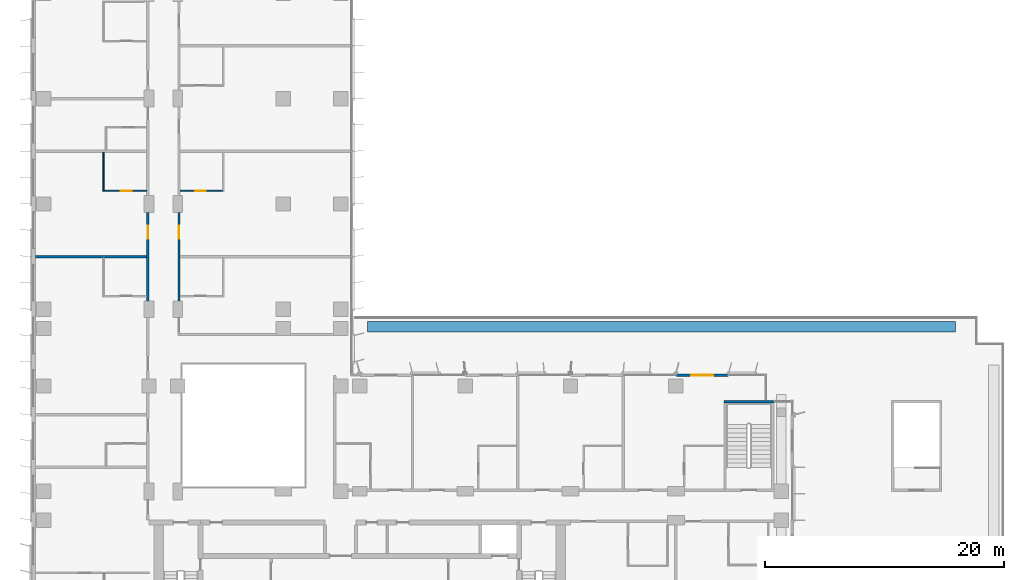
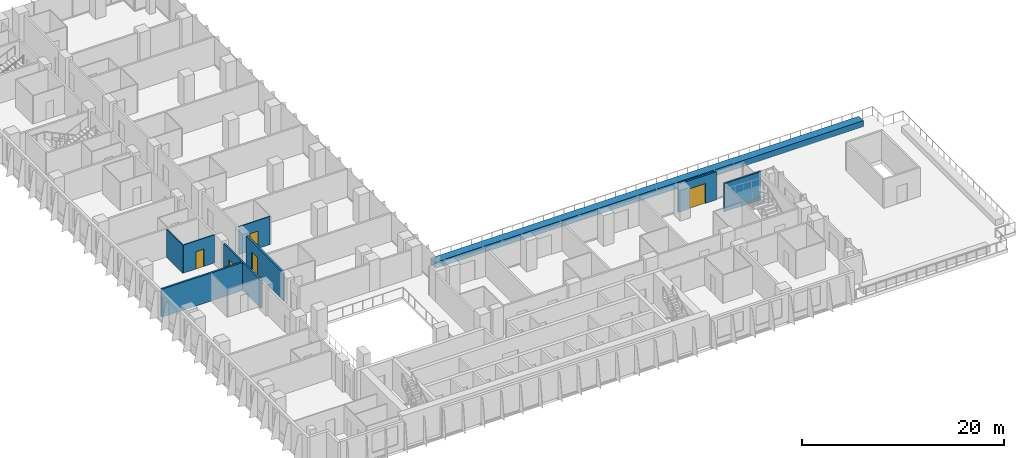
# One storey, part 17 of 27: 9 walls, 5 doors, 5 openings.
"""IFC4 building model written with IfcOpenShell, lengths in metres."""

from ifc_helpers import new_model, si_unit, direction, frame, frame_2d, origin, place, context, subcontext, project, spatial, rectangle, extrude, material, layer, layer_set, type_object, element, fill, save


model = new_model("IFC4")

# Units and contexts
model_context = context("Model", 3, precision=1e-05, world=origin(), true_north=direction((0.0, 1.0)))
body_context = subcontext(model_context, "Body", "Model", "MODEL_VIEW")
ifc_project = project(units=[si_unit("LENGTHUNIT", "METRE"), si_unit("AREAUNIT", "SQUARE_METRE"), si_unit("VOLUMEUNIT", "CUBIC_METRE"), si_unit("PLANEANGLEUNIT", "RADIAN"), si_unit("MASSUNIT", "GRAM", prefix="KILO")], contexts=[model_context])

# Site, building, storey
site_placement = place(None, origin())
site = spatial("IfcSite", under=ifc_project, at=site_placement, CompositionType="ELEMENT")
building_placement = place(site_placement, origin())
building = spatial("IfcBuilding", under=site, at=building_placement, Name="Kemantara Hotel Tower", CompositionType="ELEMENT")
storey_placement = place(building_placement, frame((0.0, 0.0, 83.39990234375)))
storey = spatial("IfcBuildingStorey", under=building, at=storey_placement, Name="L19", CompositionType="ELEMENT", Elevation=83.39990234375)

# Wall, opening, door
ifc_material_1 = material(Name="Gypsum board partition, steel studs and mineral wool, 200 mm", Category="steel")
ifc_layer_1 = layer(ifc_material_1, 0.199951171875)
ifc_layer_set_1 = layer_set([ifc_layer_1], Name="Gypsum board partition, steel studs and mineral wool, 200 mm")
wall_type_1 = type_object("IfcWallType", Name="CORRIDOR WALL 200", PredefinedType="PARTITIONING", material=ifc_layer_set_1)
wall_1_placement = place(storey_placement, frame((9.699951171875, 28.10009765625, 0.0), z_axis=(0.0, 0.0, 1.0), x_axis=(0.0, 1.0, 0.0)))
wall_1 = element("IfcWall", 1, at=wall_1_placement, inside=storey, type_object=wall_type_1, Name="CORRIDOR WALL 200 017", PredefinedType="PARTITIONING", context=body_context, shape_type="SweptSolid", body=[
    extrude(rectangle(XDim=7.39990234375, YDim=0.199951171875, at=frame_2d((3.699951171875, 0.0))), origin(), (0.0, 0.0, 1.0), 3.400146484375),
])
opening_1_placement = place(wall_1_placement, frame((5.199951171875, 0.0, 0.0)))
opening_1 = element("IfcOpeningElement", 2, at=opening_1_placement, cuts=wall_1, Name="Opening F07-021", PredefinedType="OPENING", context=body_context, shape_type="SweptSolid", body=[
    extrude(rectangle(XDim=1.10009765625, YDim=2.10009765625, at=frame_2d((0.550048828125, 1.050048828125))), frame((0.0, 0.10986328125, 0.0), z_axis=(0.0, -1.0, 0.0), x_axis=(1.0, 0.0, 0.0)), (0.0, 0.0, 1.0), 0.219970703125),
])
ifc_material_2 = material(Name="Hardwood veneer door leaf with steel frame", Category="steel")
door_type_1 = type_object("IfcDoorType", Name="SUITE ENTRANCE DOOR 1100 X 2100 FD30S", OperationType="NOTDEFINED", PredefinedType="DOOR", material=ifc_material_2)
door_1_placement = place(opening_1_placement, origin())
door_1 = element("IfcDoor", 3, at=door_1_placement, inside=storey, type_object=door_type_1, Name="SUITE ENTRANCE DOOR F07-021", OperationType="SINGLE_SWING_LEFT", OverallHeight=2.10009765625, OverallWidth=1.10009765625, PredefinedType="DOOR", context=body_context, shape_type="SweptSolid", body=[
    extrude(rectangle(XDim=1.10009765625, YDim=2.10009765625, at=frame_2d((0.550048828125, 1.050048828125))), frame((0.0, 0.02490234375, 0.0), z_axis=(0.0, -1.0, 0.0), x_axis=(1.0, 0.0, 0.0)), (0.0, 0.0, 1.0), 0.050048828125),
])
fill(opening_1, door_1)

wall_2_placement = place(storey_placement, frame((12.300048828125, 35.5, 0.0), z_axis=(0.0, 0.0, 1.0), x_axis=(0.0, -1.0, 0.0)))
wall_2 = element("IfcWall", 4, at=wall_2_placement, inside=storey, type_object=wall_type_1, Name="CORRIDOR WALL 200 032", PredefinedType="PARTITIONING", context=body_context, shape_type="SweptSolid", body=[
    extrude(rectangle(XDim=7.39990234375, YDim=0.199951171875, at=frame_2d((3.699951171875, 0.0))), origin(), (0.0, 0.0, 1.0), 3.400146484375),
])
opening_2_placement = place(wall_2_placement, frame((1.099853515625, 0.0, 0.0)))
opening_2 = element("IfcOpeningElement", 5, at=opening_2_placement, cuts=wall_2, Name="Opening F07-035", PredefinedType="OPENING", context=body_context, shape_type="SweptSolid", body=[
    extrude(rectangle(XDim=1.10009765625, YDim=2.10009765625, at=frame_2d((0.550048828125, 1.050048828125))), frame((0.0, 0.10986328125, 0.0), z_axis=(0.0, -1.0, 0.0), x_axis=(1.0, 0.0, 0.0)), (0.0, 0.0, 1.0), 0.219970703125),
])
door_2_placement = place(opening_2_placement, origin())
door_2 = element("IfcDoor", 6, at=door_2_placement, inside=storey, type_object=door_type_1, Name="SUITE ENTRANCE DOOR F07-035", OperationType="SINGLE_SWING_RIGHT", OverallHeight=2.10009765625, OverallWidth=1.10009765625, PredefinedType="DOOR", context=body_context, shape_type="SweptSolid", body=[
    extrude(rectangle(XDim=1.10009765625, YDim=2.10009765625, at=frame_2d((0.550048828125, 1.050048828125))), frame((0.0, 0.02490234375, 0.0), z_axis=(0.0, -1.0, 0.0), x_axis=(1.0, 0.0, 0.0)), (0.0, 0.0, 1.0), 0.050048828125),
])
fill(opening_2, door_2)

# Walls
ifc_material_3 = material(Name="Concrete fc 40 MPa", Category="concrete")
ifc_layer_2 = layer(ifc_material_3, 0.199951171875)
ifc_layer_set_2 = layer_set([ifc_layer_2], Name="Concrete fc 40 MPa")
wall_type_2 = type_object("IfcWallType", Name="Concrete stair wall 200 mm", PredefinedType="SHEAR", material=ifc_layer_set_2)
wall_3_placement = place(storey_placement, frame((57.800048828125, 19.699951171875, 0.0), z_axis=(0.0, 0.0, 1.0), x_axis=(1.0, 0.0, 0.0)))
element("IfcWall", 7, at=wall_3_placement, inside=storey, type_object=wall_type_2, Name="Stair ST3 enclosure wall N", PredefinedType="SHEAR", context=body_context, shape_type="SweptSolid", body=[
    extrude(rectangle(XDim=4.199951171875, YDim=0.199951171875, at=frame_2d((2.10009765625, 0.0))), origin(), (0.0, 0.0, 1.0), 3.400146484375),
])
ifc_layer_3 = layer(ifc_material_1, 0.199951171875)
ifc_layer_set_3 = layer_set([ifc_layer_3], Name="Gypsum board partition, steel studs and mineral wool, 200 mm")
wall_type_3 = type_object("IfcWallType", Name="GUEST ROOM PARTY WALL 200", PredefinedType="PARTITIONING", material=ifc_layer_set_3)
wall_4_placement = place(storey_placement, frame((0.31005859375, 31.800048828125, 0.0), z_axis=(0.0, 0.0, 1.0), x_axis=(1.0, 0.0, 0.0)))
element("IfcWall", 8, at=wall_4_placement, inside=storey, type_object=wall_type_3, Name="GUEST ROOM PARTY WALL 200 025", PredefinedType="PARTITIONING", context=body_context, shape_type="SweptSolid", body=[
    extrude(rectangle(XDim=9.2900390625, YDim=0.199951171875, at=frame_2d((4.64501953125, 0.0))), origin(), (0.0, 0.0, 1.0), 3.400146484375),
])
ifc_material_4 = material(Name="Concrete K-350 (fc 29 MPa)", Category="concrete")
ifc_layer_4 = layer(ifc_material_4, 0.89990234375)
ifc_layer_set_4 = layer_set([ifc_layer_4], Name="Concrete K-350 (fc 29 MPa)")
wall_type_4 = type_object("IfcWallType", Name="PLANTER, RAISED CONCRETE TROUGH 900x700", PredefinedType="STANDARD", material=ifc_layer_set_4)
wall_5_placement = place(storey_placement, frame((28.050048828125, 25.949951171875, -0.0498046875), z_axis=(0.0, 0.0, 1.0), x_axis=(1.0, 0.0, 0.0)))
element("IfcWall", 9, at=wall_5_placement, inside=storey, type_object=wall_type_4, Name="PLANTER TERRACE-S1-1.1", PredefinedType="STANDARD", context=body_context, shape_type="SweptSolid", body=[
    extrude(rectangle(XDim=49.099853515625, YDim=0.89990234375, at=frame_2d((24.5498046875, 0.0))), origin(), (0.0, 0.0, 1.0), 0.75),
])
ifc_material_5 = material(Name="Gypsum board partition on steel studs, 100 mm", Category="steel")
ifc_layer_5 = layer(ifc_material_5, 0.10009765625)
ifc_layer_set_5 = layer_set([ifc_layer_5], Name="Gypsum board partition on steel studs, 100 mm")
wall_type_5 = type_object("IfcWallType", Name="ROOM PARTITION 100", PredefinedType="PARTITIONING", material=ifc_layer_set_5)
wall_6_placement = place(storey_placement, frame((6.0, 37.25, 0.0), z_axis=(0.0, 0.0, 1.0), x_axis=(0.0, 1.0, 0.0)))
element("IfcWall", 10, at=wall_6_placement, inside=storey, type_object=wall_type_5, Name="ROOM PARTITION 100 069", PredefinedType="PARTITIONING", context=body_context, shape_type="SweptSolid", body=[
    extrude(rectangle(XDim=3.25, YDim=0.10009765625, at=frame_2d((1.625, 0.0))), origin(), (0.0, 0.0, 1.0), 3.400146484375),
])

# Wall, opening, door
wall_7_placement = place(storey_placement, frame((6.050048828125, 37.300048828125, 0.0), z_axis=(0.0, 0.0, 1.0), x_axis=(1.0, 0.0, 0.0)))
wall_7 = element("IfcWall", 11, at=wall_7_placement, inside=storey, type_object=wall_type_5, Name="ROOM PARTITION 100 074", PredefinedType="PARTITIONING", context=body_context, shape_type="SweptSolid", body=[
    extrude(rectangle(XDim=3.550048828125, YDim=0.10009765625, at=frame_2d((1.77490234375, 0.0))), origin(), (0.0, 0.0, 1.0), 3.400146484375),
])
opening_3_placement = place(wall_7_placement, frame((1.39990234375, 0.0, 0.0)))
opening_3 = element("IfcOpeningElement", 12, at=opening_3_placement, cuts=wall_7, Name="Opening F07-022", PredefinedType="OPENING", context=body_context, shape_type="SweptSolid", body=[
    extrude(rectangle(XDim=0.89990234375, YDim=2.10009765625, at=frame_2d((0.449951171875, 1.050048828125))), frame((0.0, 0.06005859375, 0.0), z_axis=(0.0, -1.0, 0.0), x_axis=(1.0, 0.0, 0.0)), (0.0, 0.0, 1.0), 0.1201171875),
])
door_type_2 = type_object("IfcDoorType", Name="BATHROOM DOOR 900 X 2100", OperationType="NOTDEFINED", PredefinedType="DOOR", material=ifc_material_2)
door_3_placement = place(opening_3_placement, origin())
door_3 = element("IfcDoor", 13, at=door_3_placement, inside=storey, type_object=door_type_2, Name="BATHROOM DOOR F07-022", OperationType="SINGLE_SWING_RIGHT", OverallHeight=2.10009765625, OverallWidth=0.89990234375, PredefinedType="DOOR", context=body_context, shape_type="SweptSolid", body=[
    extrude(rectangle(XDim=0.89990234375, YDim=2.10009765625, at=frame_2d((0.449951171875, 1.050048828125))), frame((0.0, 0.02490234375, 0.0), z_axis=(0.0, -1.0, 0.0), x_axis=(1.0, 0.0, 0.0)), (0.0, 0.0, 1.0), 0.050048828125),
])
fill(opening_3, door_3)

wall_8_placement = place(storey_placement, frame((12.39990234375, 37.300048828125, 0.0), z_axis=(0.0, 0.0, 1.0), x_axis=(1.0, 0.0, 0.0)))
wall_8 = element("IfcWall", 14, at=wall_8_placement, inside=storey, type_object=wall_type_5, Name="ROOM PARTITION 100 075", PredefinedType="PARTITIONING", context=body_context, shape_type="SweptSolid", body=[
    extrude(rectangle(XDim=3.550048828125, YDim=0.10009765625, at=frame_2d((1.77490234375, 0.0))), origin(), (0.0, 0.0, 1.0), 3.400146484375),
])
opening_4_placement = place(wall_8_placement, frame((1.25, 0.0, 0.0)))
opening_4 = element("IfcOpeningElement", 15, at=opening_4_placement, cuts=wall_8, Name="Opening F07-036", PredefinedType="OPENING", context=body_context, shape_type="SweptSolid", body=[
    extrude(rectangle(XDim=0.89990234375, YDim=2.10009765625, at=frame_2d((0.449951171875, 1.050048828125))), frame((0.0, 0.06005859375, 0.0), z_axis=(0.0, -1.0, 0.0), x_axis=(1.0, 0.0, 0.0)), (0.0, 0.0, 1.0), 0.1201171875),
])
door_4_placement = place(opening_4_placement, origin())
door_4 = element("IfcDoor", 16, at=door_4_placement, inside=storey, type_object=door_type_2, Name="BATHROOM DOOR F07-036", OperationType="SINGLE_SWING_LEFT", OverallHeight=2.10009765625, OverallWidth=0.89990234375, PredefinedType="DOOR", context=body_context, shape_type="SweptSolid", body=[
    extrude(rectangle(XDim=0.89990234375, YDim=2.10009765625, at=frame_2d((0.449951171875, 1.050048828125))), frame((0.0, 0.02490234375, 0.0), z_axis=(0.0, -1.0, 0.0), x_axis=(1.0, 0.0, 0.0)), (0.0, 0.0, 1.0), 0.050048828125),
])
fill(opening_4, door_4)

ifc_material_6 = material(Name="Bronze ceramic cladding on insulated steel stud wall", Category="steel")
ifc_layer_6 = layer(ifc_material_6, 0.199951171875)
ifc_layer_set_6 = layer_set([ifc_layer_6], Name="Bronze ceramic cladding on insulated steel stud wall")
wall_type_6 = type_object("IfcWallType", Name="TERRACE DOOR BAY WALL 200", PredefinedType="STANDARD", material=ifc_layer_set_6)
wall_9_placement = place(storey_placement, frame((58.169921875, 21.89990234375, 0.0), z_axis=(0.0, 0.0, 1.0), x_axis=(-1.0, 0.0, 0.0)))
wall_9 = element("IfcWall", 17, at=wall_9_placement, inside=storey, type_object=wall_type_6, Name="TERRACE DOOR BAY WALL L19 T2-R13-1", PredefinedType="STANDARD", context=body_context, shape_type="SweptSolid", body=[
    extrude(rectangle(XDim=4.33984375, YDim=0.199951171875, at=frame_2d((2.169921875, 0.0))), origin(), (0.0, 0.0, 1.0), 3.400146484375),
])
opening_5_placement = place(wall_9_placement, frame((1.27001953125, 0.0, 0.0)))
opening_5 = element("IfcOpeningElement", 18, at=opening_5_placement, cuts=wall_9, Name="Opening TD-L19-01", PredefinedType="OPENING", context=body_context, shape_type="SweptSolid", body=[
    extrude(rectangle(XDim=1.800048828125, YDim=2.39990234375, at=frame_2d((0.89990234375, 1.199951171875))), frame((0.0, 0.10986328125, 0.0), z_axis=(0.0, -1.0, 0.0), x_axis=(1.0, 0.0, 0.0)), (0.0, 0.0, 1.0), 0.219970703125),
])
ifc_material_7 = material(Name="Toughened tinted glass in bronze anodised aluminium frame", Category="aluminium")
door_type_3 = type_object("IfcDoorType", Name="TERRACE DOOR, DOUBLE LEAF GLAZED 1800x2400", OperationType="DOUBLE_DOOR_SINGLE_SWING", PredefinedType="DOOR", material=ifc_material_7)
door_5_placement = place(opening_5_placement, origin())
door_5 = element("IfcDoor", 19, at=door_5_placement, inside=storey, type_object=door_type_3, Name="TERRACE DOOR L19 T2-R13-1", OperationType="SINGLE_SWING_LEFT", OverallHeight=2.39990234375, OverallWidth=1.800048828125, PredefinedType="DOOR", context=body_context, shape_type="SweptSolid", body=[
    extrude(rectangle(XDim=1.800048828125, YDim=2.39990234375, at=frame_2d((0.89990234375, 1.199951171875))), frame((0.0, 0.02490234375, 0.0), z_axis=(0.0, -1.0, 0.0), x_axis=(1.0, 0.0, 0.0)), (0.0, 0.0, 1.0), 0.050048828125),
])
fill(opening_5, door_5)

save(model, "model.ifc")
